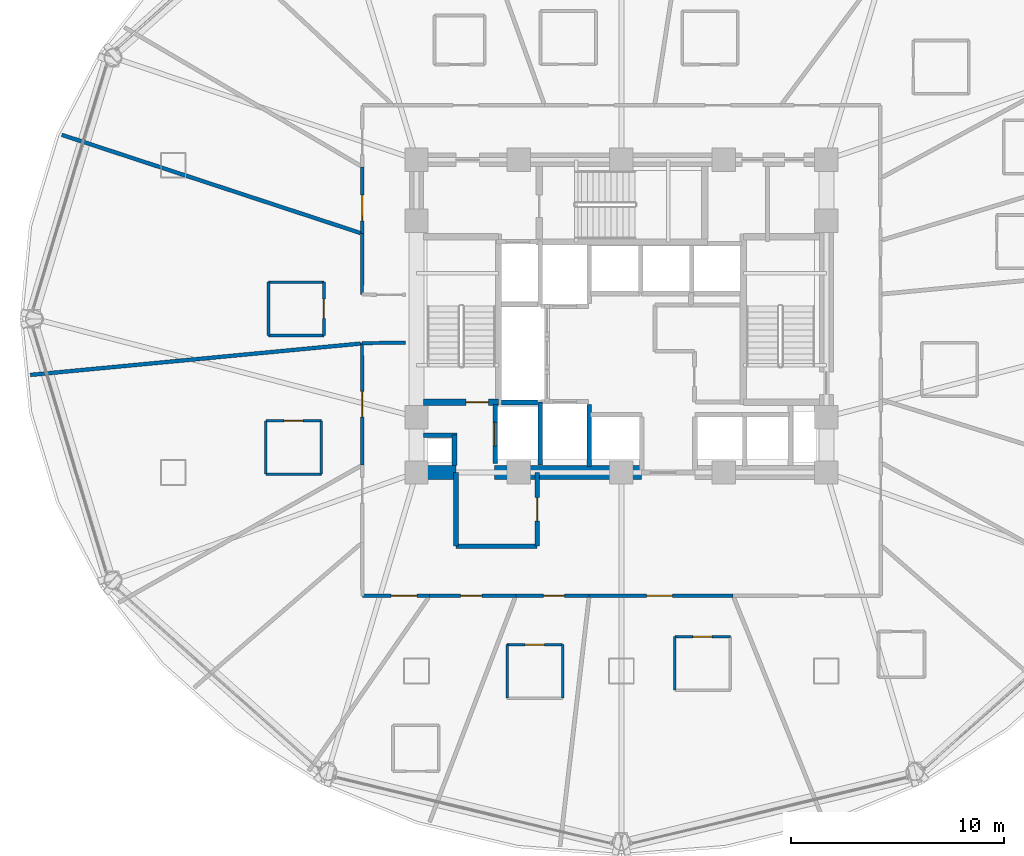
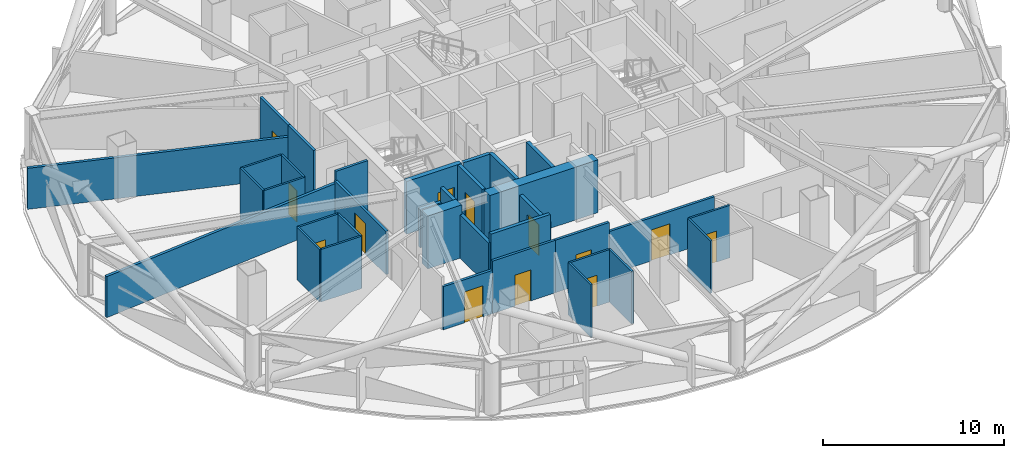
# One storey, part 22 of 30: 35 walls, 13 doors, 13 openings.
"""IFC4 building model written with IfcOpenShell, lengths in metres."""

import ifcopenshell
import ifcopenshell.guid

model = None  # the IFC model being written
_history = None  # IfcOwnerHistory: only IFC2X3 demands one
_inside = {}  # id of a spatial element -> (the spatial element, [elements in it])
_under = {}  # id of a project, library or spatial element -> (it, [spatial elements below it])
_declared = {}  # id of a project -> (the project, [libraries it declares])
_typed = {}  # id of a type object -> (the type object, [elements of that type])
_made_of = {}  # id of a material, layer set ... -> (it, [elements and type objects made of it])


def new_model(schema):
    """Start an empty IFC model of exactly this schema.

    Asked for "IFC4X3", IfcOpenShell would pick the latest addendum, in which some entities
    have other attributes; the version numbers below select the first issue.
    IFC2X3 requires an IfcOwnerHistory on every rooted entity: one is made here for all.
    """
    global model, _history
    if schema == "IFC4X3":
        model = ifcopenshell.file(schema_version=(4, 3, 0, 0))
    else:
        model = ifcopenshell.file(schema=schema)
    _inside.clear()
    _under.clear()
    _declared.clear()
    _typed.clear()
    _made_of.clear()
    _history = None
    if model.schema == "IFC2X3":
        org = make("IfcOrganization", Name="unknown")
        user = make(
            "IfcPersonAndOrganization",
            ThePerson=make("IfcPerson", FamilyName="unknown"),
            TheOrganization=org,
        )
        app = make(
            "IfcApplication",
            ApplicationDeveloper=org,
            Version="unknown",
            ApplicationFullName="unknown",
            ApplicationIdentifier="unknown",
        )
        _history = make(
            "IfcOwnerHistory",
            OwningUser=user,
            OwningApplication=app,
            ChangeAction="ADDED",
            CreationDate=0,
        )
    return model


def make(cls, **values):
    """One entity of the class cls with the attributes given. An attribute that is None is left unset."""
    return model.create_entity(
        cls, **{name: value for name, value in values.items() if value is not None}
    )


def rooted(cls, **values):
    """An entity with a GlobalId (a new one), such as an element, a storey or a relation."""
    return make(cls, GlobalId=ifcopenshell.guid.new(), OwnerHistory=_history, **values)


def si_unit(unit_type, name, prefix=None):
    """IfcSIUnit, for example si_unit("LENGTHUNIT", "METRE", prefix="MILLI")."""
    return make("IfcSIUnit", UnitType=unit_type, Prefix=prefix, Name=name)


def assignment(units):
    """IfcUnitAssignment: the units of a project."""
    return None if units is None else make("IfcUnitAssignment", Units=units)


def point(xyz):
    """IfcCartesianPoint."""
    return None if xyz is None else make("IfcCartesianPoint", Coordinates=xyz)


def direction(xyz):
    """IfcDirection."""
    return None if xyz is None else make("IfcDirection", DirectionRatios=xyz)


def frame(location, z_axis=None, x_axis=None):
    """IfcAxis2Placement3D, a coordinate frame: its origin and axes. An axis left out is left unset."""
    return make(
        "IfcAxis2Placement3D",
        Location=point(location),
        Axis=direction(z_axis),
        RefDirection=direction(x_axis),
    )


def frame_2d(location, x_axis=None):
    """IfcAxis2Placement2D, a coordinate frame in the plane: its origin and x axis."""
    return make(
        "IfcAxis2Placement2D", Location=point(location), RefDirection=direction(x_axis)
    )


def origin():
    """The frame at (0, 0, 0) with its axes left unset."""
    return frame((0.0, 0.0, 0.0))


def place(relative_to, where):
    """IfcLocalPlacement: puts the frame where relative to a parent placement (None: the world)."""
    return make(
        "IfcLocalPlacement", PlacementRelTo=relative_to, RelativePlacement=where
    )


def context(
    kind, dimensions, precision=None, world=None, true_north=None, identifier=None
):
    """IfcGeometricRepresentationContext, for example the 3D "Model" context."""
    return make(
        "IfcGeometricRepresentationContext",
        ContextIdentifier=identifier,
        ContextType=kind,
        CoordinateSpaceDimension=dimensions,
        Precision=precision,
        WorldCoordinateSystem=world,
        TrueNorth=true_north,
    )


def subcontext(parent, identifier, kind, view, scale=None):
    """IfcGeometricRepresentationSubContext, for example "Body" below "Model"."""
    return make(
        "IfcGeometricRepresentationSubContext",
        ContextIdentifier=identifier,
        ContextType=kind,
        ParentContext=parent,
        TargetScale=scale,
        TargetView=view,
    )


def project(units=None, contexts=None):
    """IfcProject with its units and contexts."""
    return rooted(
        "IfcProject",
        Name="project",
        RepresentationContexts=contexts,
        UnitsInContext=assignment(units),
    )


def spatial(cls, under=None, at=None, **own):
    """A site, building, storey or space (cls), placed at a placement, below another one or the project."""
    s = rooted(cls, ObjectPlacement=at, **own)
    if under is not None:
        _under.setdefault(under.id(), (under, []))[1].append(s)
    return s


def profile(cls, at=None, kind="AREA", **sizes):
    """A parametric profile (cls). Its sizes go by their IFC names, for example OverallWidth=200.0."""
    return make(cls, ProfileType=kind, Position=at, **sizes)


def rectangle(**sizes):
    """IfcRectangleProfileDef."""
    return profile("IfcRectangleProfileDef", **sizes)


def extrude(swept, where, along, depth):
    """IfcExtrudedAreaSolid: the profile swept, set in the frame where, extruded along a direction by depth."""
    return make(
        "IfcExtrudedAreaSolid",
        SweptArea=swept,
        Position=where,
        ExtrudedDirection=direction(along),
        Depth=depth,
    )


def shape(context_of_items, identifier, shape_type, items):
    """IfcShapeRepresentation: the items that make up one representation, for example the "Body"."""
    return make(
        "IfcShapeRepresentation",
        ContextOfItems=context_of_items,
        RepresentationIdentifier=identifier,
        RepresentationType=shape_type,
        Items=items,
    )


def material(Name=None, Category=None):
    """IfcMaterial."""
    return make("IfcMaterial", Name=Name, Category=Category)


def layer(
    of_material, thickness, ventilated=None, Name=None, Category=None, Priority=None
):
    """IfcMaterialLayer: one layer of a wall or slab, of a material (None: an air gap)."""
    return make(
        "IfcMaterialLayer",
        Material=of_material,
        LayerThickness=thickness,
        IsVentilated=ventilated,
        Name=Name,
        Category=Category,
        Priority=Priority,
    )


def layer_set(layers, Name=None):
    """IfcMaterialLayerSet."""
    return make("IfcMaterialLayerSet", MaterialLayers=layers, LayerSetName=Name)


def made_of(thing, what):
    """Note that an element or type object is made of a material, layer set ...; save() writes the relation."""
    if what is not None:
        _made_of.setdefault(what.id(), (what, []))[1].append(thing)
    return thing


def type_object(cls, material=None, **own):
    """A type object (cls), such as IfcWallType, which elements share."""
    return made_of(rooted(cls, **own), material)


def element(
    cls,
    number,
    at=None,
    inside=None,
    cuts=None,
    type_object=None,
    material=None,
    context=None,
    identifier="Body",
    shape_type=None,
    held_by="IfcProductDefinitionShape",
    body=None,
    shapes=None,
    **own,
):
    """One element of the class cls, such as IfcWall. Its Tag is "e" and its number.

    at: its placement. inside: the storey or other place that contains it. cuts: it is an
    opening in that element (IfcRelVoidsElement). A single representation is given by context,
    identifier, shape_type and body (its items); several are given by shapes. held_by: the class
    of the entity that holds the representations. save() writes the other relations.
    """
    e = rooted(cls, Tag="e%d" % number, ObjectPlacement=at, **own)
    if body is not None:
        shapes = [shape(context, identifier, shape_type, body)]
    if shapes is not None:
        e.Representation = make(held_by, Representations=shapes)
    if inside is not None:
        _inside.setdefault(inside.id(), (inside, []))[1].append(e)
    if cuts is not None:
        rooted(
            "IfcRelVoidsElement", RelatingBuildingElement=cuts, RelatedOpeningElement=e
        )
    if type_object is not None:
        _typed.setdefault(type_object.id(), (type_object, []))[1].append(e)
    return made_of(e, material)


def fill(opening, filler):
    """IfcRelFillsElement: the door or window that sits in an opening."""
    return rooted(
        "IfcRelFillsElement",
        RelatingOpeningElement=opening,
        RelatedBuildingElement=filler,
    )


def aggregate(whole, parts):
    """IfcRelAggregates: a whole, such as a stair, and the parts it consists of."""
    return rooted("IfcRelAggregates", RelatingObject=whole, RelatedObjects=parts)


def save(model, path):
    """Write the relations noted so far, then the file.

    IfcRelAggregates (storeys below a building ...), IfcRelContainedInSpatialStructure (elements
    in a storey), IfcRelDefinesByType, IfcRelAssociatesMaterial and IfcRelDeclares: one each for
    every whole, place, type object, material and project.
    """
    for whole, parts in _under.values():
        aggregate(whole, parts)
    for where, things in _inside.values():
        rooted(
            "IfcRelContainedInSpatialStructure",
            RelatedElements=things,
            RelatingStructure=where,
        )
    for kind, things in _typed.values():
        rooted("IfcRelDefinesByType", RelatedObjects=things, RelatingType=kind)
    for what, things in _made_of.values():
        rooted("IfcRelAssociatesMaterial", RelatedObjects=things, RelatingMaterial=what)
    for by, libraries in _declared.values():
        rooted("IfcRelDeclares", RelatingContext=by, RelatedDefinitions=libraries)
    model.write(path)


model = new_model("IFC4")

# Units and contexts
model_context = context("Model", 3, precision=1e-05, world=origin(), true_north=direction((0.0, 1.0)))
body_context = subcontext(model_context, "Body", "Model", "MODEL_VIEW")
ifc_project = project(units=[si_unit("LENGTHUNIT", "METRE"), si_unit("AREAUNIT", "SQUARE_METRE"), si_unit("VOLUMEUNIT", "CUBIC_METRE"), si_unit("PLANEANGLEUNIT", "RADIAN"), si_unit("MASSUNIT", "GRAM", prefix="KILO")], contexts=[model_context])

# Site, building, storey
site_placement = place(None, origin())
site = spatial("IfcSite", under=ifc_project, at=site_placement, CompositionType="ELEMENT")
building_placement = place(site_placement, origin())
building = spatial("IfcBuilding", under=site, at=building_placement, Name="Vantalir Tower", CompositionType="ELEMENT")
storey_placement = place(building_placement, frame((0.0, 0.0, 79.5)))
storey = spatial("IfcBuildingStorey", under=building, at=storey_placement, Name="L19", CompositionType="ELEMENT", Elevation=79.5)

# Walls
ifc_material_1 = material(Name="Moisture-resistant en-suite partition", Category="gypsum")
ifc_layer_1 = layer(ifc_material_1, 0.125)
ifc_layer_set_1 = layer_set([ifc_layer_1], Name="Moisture-resistant en-suite partition")
wall_type_1 = type_object("IfcWallType", Name="WL-BATH-125", PredefinedType="PARTITIONING", material=ifc_layer_set_1)
for number, where, z_axis, x_axis, name in (
    (1, (14.964111328125, 24.218994140625, 0.0), (0.0, 0.0, 1.0), (1.0, 0.0, 0.0), "L19 En-suite 09 South Wall"),
    (2, (14.964111328125, 26.718994140625, 0.0), (0.0, 0.0, 1.0), (1.0, 0.0, 0.0), "L19 En-suite 09 North Wall"),
):
    element("IfcWall", number, at=place(storey_placement, frame(where, z_axis=z_axis, x_axis=x_axis)), inside=storey, type_object=wall_type_1, Name=name, PredefinedType="PARTITIONING", context=body_context, shape_type="SweptSolid", body=[
        extrude(rectangle(XDim=2.599853515625, YDim=0.125, at=frame_2d((1.2998046875, 0.0))), origin(), (0.0, 0.0, 1.0), 3.550048828125),
    ])
wall_1_placement = place(storey_placement, frame((14.964111328125, 24.218994140625, 0.0), z_axis=(0.0, 0.0, 1.0), x_axis=(0.0, 1.0, 0.0)))
element("IfcWall", 3, at=wall_1_placement, inside=storey, type_object=wall_type_1, Name="L19 En-suite 09 West Wall", PredefinedType="PARTITIONING", context=body_context, shape_type="SweptSolid", body=[
    extrude(rectangle(XDim=2.5, YDim=0.125, at=frame_2d((1.25, 0.0))), origin(), (0.0, 0.0, 1.0), 3.550048828125),
])

# Wall, opening, door
wall_2_placement = place(storey_placement, frame((17.56396484375, 24.218994140625, 0.0), z_axis=(0.0, 0.0, 1.0), x_axis=(0.0, 1.0, 0.0)))
wall_2 = element("IfcWall", 4, at=wall_2_placement, inside=storey, type_object=wall_type_1, Name="L19 En-suite 09 East Wall", PredefinedType="PARTITIONING", context=body_context, shape_type="SweptSolid", body=[
    extrude(rectangle(XDim=2.5, YDim=0.125, at=frame_2d((1.25, 0.0))), origin(), (0.0, 0.0, 1.0), 3.550048828125),
])
opening_1_placement = place(wall_2_placement, frame((0.800048828125, 0.0, 0.0)))
opening_1 = element("IfcOpeningElement", 5, at=opening_1_placement, cuts=wall_2, Name="Opening D-WC", PredefinedType="OPENING", context=body_context, shape_type="SweptSolid", body=[
    extrude(rectangle(XDim=0.89990234375, YDim=2.10009765625, at=frame_2d((0.449951171875, 1.050048828125))), frame((0.0, 0.072509765625, 0.0), z_axis=(0.0, -1.0, 0.0), x_axis=(1.0, 0.0, 0.0)), (0.0, 0.0, 1.0), 0.14501953125),
])
ifc_material_2 = material(Name="Moisture-resistant hardwood door", Category="wood")
door_type_1 = type_object("IfcDoorType", Name="DR-ENSUITE-900", OperationType="NOTDEFINED", PredefinedType="DOOR", material=ifc_material_2)
door_1_placement = place(opening_1_placement, origin())
door_1 = element("IfcDoor", 6, at=door_1_placement, inside=storey, type_object=door_type_1, Name="L19 En-suite 09 Door", OperationType="SINGLE_SWING_LEFT", OverallHeight=2.10009765625, OverallWidth=0.89990234375, PredefinedType="DOOR", context=body_context, shape_type="SweptSolid", body=[
    extrude(rectangle(XDim=0.89990234375, YDim=2.10009765625, at=frame_2d((0.449951171875, 1.050048828125))), frame((0.0, 0.02490234375, 0.0), z_axis=(0.0, -1.0, 0.0), x_axis=(1.0, 0.0, 0.0)), (0.0, 0.0, 1.0), 0.050048828125),
])
fill(opening_1, door_1)

# Wall
wall_3_placement = place(storey_placement, frame((14.837890625, 17.718994140625, 0.0), z_axis=(0.0, 0.0, 1.0), x_axis=(1.0, 0.0, 0.0)))
element("IfcWall", 7, at=wall_3_placement, inside=storey, type_object=wall_type_1, Name="L19 En-suite 10 South Wall", PredefinedType="PARTITIONING", context=body_context, shape_type="SweptSolid", body=[
    extrude(rectangle(XDim=2.60009765625, YDim=0.125, at=frame_2d((1.300048828125, 0.0))), origin(), (0.0, 0.0, 1.0), 3.550048828125),
])

# Wall, opening, door
wall_4_placement = place(storey_placement, frame((14.837890625, 20.218994140625, 0.0), z_axis=(0.0, 0.0, 1.0), x_axis=(1.0, 0.0, 0.0)))
wall_4 = element("IfcWall", 8, at=wall_4_placement, inside=storey, type_object=wall_type_1, Name="L19 En-suite 10 North Wall", PredefinedType="PARTITIONING", context=body_context, shape_type="SweptSolid", body=[
    extrude(rectangle(XDim=2.60009765625, YDim=0.125, at=frame_2d((1.300048828125, 0.0))), origin(), (0.0, 0.0, 1.0), 3.550048828125),
])
opening_2_placement = place(wall_4_placement, frame((0.85009765625, 0.0, 0.0)))
opening_2 = element("IfcOpeningElement", 9, at=opening_2_placement, cuts=wall_4, Name="Opening D-WC", PredefinedType="OPENING", context=body_context, shape_type="SweptSolid", body=[
    extrude(rectangle(XDim=0.89990234375, YDim=2.10009765625, at=frame_2d((0.449951171875, 1.050048828125))), frame((0.0, 0.072509765625, 0.0), z_axis=(0.0, -1.0, 0.0), x_axis=(1.0, 0.0, 0.0)), (0.0, 0.0, 1.0), 0.14501953125),
])
door_2_placement = place(opening_2_placement, frame((0.89990234375, 0.0, 0.0), z_axis=(0.0, 0.0, 1.0), x_axis=(-1.0, 0.0, 0.0)))
door_2 = element("IfcDoor", 10, at=door_2_placement, inside=storey, type_object=door_type_1, Name="L19 En-suite 10 Door", OperationType="SINGLE_SWING_RIGHT", OverallHeight=2.10009765625, OverallWidth=0.89990234375, PredefinedType="DOOR", context=body_context, shape_type="SweptSolid", body=[
    extrude(rectangle(XDim=0.89990234375, YDim=2.10009765625, at=frame_2d((0.449951171875, 1.050048828125))), frame((0.0, 0.02490234375, 0.0), z_axis=(0.0, -1.0, 0.0), x_axis=(1.0, 0.0, 0.0)), (0.0, 0.0, 1.0), 0.050048828125),
])
fill(opening_2, door_2)

# Walls
for number, where, z_axis, x_axis, name in (
    (11, (14.837890625, 17.718994140625, 0.0), (0.0, 0.0, 1.0), (0.0, 1.0, 0.0), "L19 En-suite 10 West Wall"),
    (12, (17.43798828125, 17.718994140625, 0.0), (0.0, 0.0, 1.0), (0.0, 1.0, 0.0), "L19 En-suite 10 East Wall"),
):
    element("IfcWall", number, at=place(storey_placement, frame(where, z_axis=z_axis, x_axis=x_axis)), inside=storey, type_object=wall_type_1, Name=name, PredefinedType="PARTITIONING", context=body_context, shape_type="SweptSolid", body=[
        extrude(rectangle(XDim=2.5, YDim=0.125, at=frame_2d((1.25, 0.0))), origin(), (0.0, 0.0, 1.0), 3.550048828125),
    ])

# Wall, opening, door
wall_5_placement = place(storey_placement, frame((26.14404296875, 9.73095703125, 0.0), z_axis=(0.0, 0.0, 1.0), x_axis=(1.0, 0.0, 0.0)))
wall_5 = element("IfcWall", 13, at=wall_5_placement, inside=storey, type_object=wall_type_1, Name="L19 En-suite 14 North Wall", PredefinedType="PARTITIONING", context=body_context, shape_type="SweptSolid", body=[
    extrude(rectangle(XDim=2.599853515625, YDim=0.125, at=frame_2d((1.2998046875, 0.0))), origin(), (0.0, 0.0, 1.0), 3.550048828125),
])
opening_3_placement = place(wall_5_placement, frame((0.85009765625, 0.0, 0.0)))
opening_3 = element("IfcOpeningElement", 14, at=opening_3_placement, cuts=wall_5, Name="Opening D-WC", PredefinedType="OPENING", context=body_context, shape_type="SweptSolid", body=[
    extrude(rectangle(XDim=0.89990234375, YDim=2.10009765625, at=frame_2d((0.449951171875, 1.050048828125))), frame((0.0, 0.072509765625, 0.0), z_axis=(0.0, -1.0, 0.0), x_axis=(1.0, 0.0, 0.0)), (0.0, 0.0, 1.0), 0.14501953125),
])
door_3_placement = place(opening_3_placement, frame((0.89990234375, 0.0, 0.0), z_axis=(0.0, 0.0, 1.0), x_axis=(-1.0, 0.0, 0.0)))
door_3 = element("IfcDoor", 15, at=door_3_placement, inside=storey, type_object=door_type_1, Name="L19 En-suite 14 Door", OperationType="SINGLE_SWING_RIGHT", OverallHeight=2.10009765625, OverallWidth=0.89990234375, PredefinedType="DOOR", context=body_context, shape_type="SweptSolid", body=[
    extrude(rectangle(XDim=0.89990234375, YDim=2.10009765625, at=frame_2d((0.449951171875, 1.050048828125))), frame((0.0, 0.02490234375, 0.0), z_axis=(0.0, -1.0, 0.0), x_axis=(1.0, 0.0, 0.0)), (0.0, 0.0, 1.0), 0.050048828125),
])
fill(opening_3, door_3)

# Walls
for number, where, z_axis, x_axis, name in (
    (16, (26.14404296875, 7.23095703125, 0.0), (0.0, 0.0, 1.0), (0.0, 1.0, 0.0), "L19 En-suite 14 West Wall"),
    (17, (28.743896484375, 7.23095703125, 0.0), (0.0, 0.0, 1.0), (0.0, 1.0, 0.0), "L19 En-suite 14 East Wall"),
):
    element("IfcWall", number, at=place(storey_placement, frame(where, z_axis=z_axis, x_axis=x_axis)), inside=storey, type_object=wall_type_1, Name=name, PredefinedType="PARTITIONING", context=body_context, shape_type="SweptSolid", body=[
        extrude(rectangle(XDim=2.5, YDim=0.125, at=frame_2d((1.25, 0.0))), origin(), (0.0, 0.0, 1.0), 3.550048828125),
    ])

# Wall, opening, door
wall_6_placement = place(storey_placement, frame((34.0029296875, 10.10595703125, 0.0), z_axis=(0.0, 0.0, 1.0), x_axis=(1.0, 0.0, 0.0)))
wall_6 = element("IfcWall", 18, at=wall_6_placement, inside=storey, type_object=wall_type_1, Name="L19 En-suite 15 North Wall", PredefinedType="PARTITIONING", context=body_context, shape_type="SweptSolid", body=[
    extrude(rectangle(XDim=2.60009765625, YDim=0.125, at=frame_2d((1.300048828125, 0.0))), origin(), (0.0, 0.0, 1.0), 3.550048828125),
])
opening_4_placement = place(wall_6_placement, frame((0.85009765625, 0.0, 0.0)))
opening_4 = element("IfcOpeningElement", 19, at=opening_4_placement, cuts=wall_6, Name="Opening D-WC", PredefinedType="OPENING", context=body_context, shape_type="SweptSolid", body=[
    extrude(rectangle(XDim=0.89990234375, YDim=2.10009765625, at=frame_2d((0.449951171875, 1.050048828125))), frame((0.0, 0.072509765625, 0.0), z_axis=(0.0, -1.0, 0.0), x_axis=(1.0, 0.0, 0.0)), (0.0, 0.0, 1.0), 0.14501953125),
])
door_4_placement = place(opening_4_placement, frame((0.89990234375, 0.0, 0.0), z_axis=(0.0, 0.0, 1.0), x_axis=(-1.0, 0.0, 0.0)))
door_4 = element("IfcDoor", 20, at=door_4_placement, inside=storey, type_object=door_type_1, Name="L19 En-suite 15 Door", OperationType="SINGLE_SWING_LEFT", OverallHeight=2.10009765625, OverallWidth=0.89990234375, PredefinedType="DOOR", context=body_context, shape_type="SweptSolid", body=[
    extrude(rectangle(XDim=0.89990234375, YDim=2.10009765625, at=frame_2d((0.449951171875, 1.050048828125))), frame((0.0, 0.02490234375, 0.0), z_axis=(0.0, -1.0, 0.0), x_axis=(1.0, 0.0, 0.0)), (0.0, 0.0, 1.0), 0.050048828125),
])
fill(opening_4, door_4)

# Walls
wall_7_placement = place(storey_placement, frame((34.0029296875, 7.60595703125, 0.0), z_axis=(0.0, 0.0, 1.0), x_axis=(0.0, 1.0, 0.0)))
element("IfcWall", 21, at=wall_7_placement, inside=storey, type_object=wall_type_1, Name="L19 En-suite 15 West Wall", PredefinedType="PARTITIONING", context=body_context, shape_type="SweptSolid", body=[
    extrude(rectangle(XDim=2.5, YDim=0.125, at=frame_2d((1.25, 0.0))), origin(), (0.0, 0.0, 1.0), 3.550048828125),
])
ifc_material_3 = material(Name="Concrete C60/75", Category="concrete")
ifc_layer_2 = layer(ifc_material_3, 0.64990234375)
ifc_layer_set_2 = layer_set([ifc_layer_2], Name="Concrete C60/75")
wall_type_2 = type_object("IfcWallType", Name="WL-CORE-650", PredefinedType="SHEAR", material=ifc_layer_set_2)
wall_8_placement = place(storey_placement, frame((21.574951171875, 17.800048828125, 0.0), z_axis=(0.0, 0.0, 1.0), x_axis=(1.0, 0.0, 0.0)))
element("IfcWall", 22, at=wall_8_placement, inside=storey, type_object=wall_type_2, Name="L19 Core Shear Wall South-West", PredefinedType="SHEAR", context=body_context, shape_type="SweptSolid", body=[
    extrude(rectangle(XDim=2.175048828125, YDim=0.64990234375, at=frame_2d((1.08740234375, 0.0))), origin(), (0.0, 0.0, 1.0), 3.570068359375),
])
wall_9_placement = place(storey_placement, frame((25.550048828125, 17.800048828125, 0.0), z_axis=(0.0, 0.0, 1.0), x_axis=(1.0, 0.0, 0.0)))
element("IfcWall", 23, at=wall_9_placement, inside=storey, type_object=wall_type_2, Name="L19 Core Shear Wall South-Mid", PredefinedType="SHEAR", context=body_context, shape_type="SweptSolid", body=[
    extrude(rectangle(XDim=6.89990234375, YDim=0.64990234375, at=frame_2d((3.449951171875, 0.0))), origin(), (0.0, 0.0, 1.0), 3.570068359375),
])
ifc_material_4 = material(Name="Fire-rated hotel corridor acoustic partition", Category="gypsum")
ifc_layer_3 = layer(ifc_material_4, 0.159912109375)
ifc_layer_set_3 = layer_set([ifc_layer_3], Name="Fire-rated hotel corridor acoustic partition")
wall_type_3 = type_object("IfcWallType", Name="WL-CORR-160", PredefinedType="PARTITIONING", material=ifc_layer_set_3)
wall_10_placement = place(storey_placement, frame((19.347900390625, 26.14208984375, 0.0), z_axis=(0.0, 0.0, 1.0), x_axis=(0.002483506942, 0.999996916092, 0.0)))
element("IfcWall", 24, at=wall_10_placement, inside=storey, type_object=wall_type_3, Name="L19 Corridor Partition 02", PredefinedType="PARTITIONING", context=body_context, shape_type="SweptSolid", body=[
    extrude(rectangle(XDim=2.850830078125, YDim=0.159912109375, at=frame_2d((1.42529296875, 0.0))), origin(), (0.0, 0.0, 1.0), 3.550048828125),
])

# Wall, opening, door
wall_11_placement = place(storey_placement, frame((19.35498046875, 28.992919921875, 0.0), z_axis=(0.0, 0.0, 1.0), x_axis=(0.002264911404, 0.999997435085, 0.0)))
wall_11 = element("IfcWall", 25, at=wall_11_placement, inside=storey, type_object=wall_type_3, Name="L19 Corridor Partition 03", PredefinedType="PARTITIONING", context=body_context, shape_type="SweptSolid", body=[
    extrude(rectangle(XDim=3.1259765625, YDim=0.159912109375, at=frame_2d((1.56298828125, 0.0))), origin(), (0.0, 0.0, 1.0), 3.550048828125),
])
opening_5_placement = place(wall_11_placement, frame((0.597900390625, 0.0, 0.0)))
opening_5 = element("IfcOpeningElement", 26, at=opening_5_placement, cuts=wall_11, Name="Opening D-STE", PredefinedType="OPENING", context=body_context, shape_type="SweptSolid", body=[
    extrude(rectangle(XDim=1.199951171875, YDim=2.10009765625, at=frame_2d((0.60009765625, 1.050048828125))), frame((0.0, 0.08984375, 0.0), z_axis=(0.0, -1.0, 0.0), x_axis=(1.0, 0.0, 0.0)), (0.0, 0.0, 1.0), 0.179931640625),
])
ifc_material_5 = material(Name="Solid-core teak veneer suite entrance door", Category="wood")
door_type_2 = type_object("IfcDoorType", Name="DR-SUITE-ENTRY-1200", OperationType="NOTDEFINED", PredefinedType="DOOR", material=ifc_material_5)
door_5_placement = place(opening_5_placement, origin())
door_5 = element("IfcDoor", 27, at=door_5_placement, inside=storey, type_object=door_type_2, Name="L19 Executive Sky Boardroom 08 Door", OperationType="SINGLE_SWING_RIGHT", OverallHeight=2.10009765625, OverallWidth=1.199951171875, PredefinedType="DOOR", context=body_context, shape_type="SweptSolid", body=[
    extrude(rectangle(XDim=1.199951171875, YDim=2.10009765625, at=frame_2d((0.60009765625, 1.050048828125))), frame((0.0, 0.02490234375, 0.0), z_axis=(0.0, -1.0, 0.0), x_axis=(1.0, 0.0, 0.0)), (0.0, 0.0, 1.0), 0.050048828125),
])
fill(opening_5, door_5)

wall_12_placement = place(storey_placement, frame((36.72705078125, 12.029052734375, 0.0), z_axis=(0.0, 0.0, 1.0), x_axis=(-0.999999710434, -0.000761007209, 0.0)))
wall_12 = element("IfcWall", 28, at=wall_12_placement, inside=storey, type_object=wall_type_3, Name="L19 Corridor Partition 18", PredefinedType="PARTITIONING", context=body_context, shape_type="SweptSolid", body=[
    extrude(rectangle(XDim=6.737060546875, YDim=0.159912109375, at=frame_2d((3.36865234375, 0.0))), origin(), (0.0, 0.0, 1.0), 2.927978515625),
])
opening_6_placement = place(wall_12_placement, frame((2.843017578125, 0.0, 0.0)))
opening_6 = element("IfcOpeningElement", 29, at=opening_6_placement, cuts=wall_12, Name="Opening D-STE", PredefinedType="OPENING", context=body_context, shape_type="SweptSolid", body=[
    extrude(rectangle(XDim=1.199951171875, YDim=2.10009765625, at=frame_2d((0.60009765625, 1.050048828125))), frame((0.0, 0.08984375, 0.0), z_axis=(0.0, -1.0, 0.0), x_axis=(1.0, 0.0, 0.0)), (0.0, 0.0, 1.0), 0.179931640625),
])
door_6_placement = place(opening_6_placement, origin())
door_6 = element("IfcDoor", 30, at=door_6_placement, inside=storey, type_object=door_type_2, Name="L19 Corner Panorama Hotel Suite 15 Door", OperationType="SINGLE_SWING_LEFT", OverallHeight=2.10009765625, OverallWidth=1.199951171875, PredefinedType="DOOR", context=body_context, shape_type="SweptSolid", body=[
    extrude(rectangle(XDim=1.199951171875, YDim=2.10009765625, at=frame_2d((0.60009765625, 1.050048828125))), frame((0.0, 0.02490234375, 0.0), z_axis=(0.0, -1.0, 0.0), x_axis=(1.0, 0.0, 0.0)), (0.0, 0.0, 1.0), 0.050048828125),
])
fill(opening_6, door_6)

wall_13_placement = place(storey_placement, frame((29.989990234375, 12.02392578125, 0.0), z_axis=(0.0, 0.0, 1.0), x_axis=(-0.999999838631, -0.00056810103, 0.0)))
wall_13 = element("IfcWall", 31, at=wall_13_placement, inside=storey, type_object=wall_type_3, Name="L19 Corridor Partition 19", PredefinedType="PARTITIONING", context=body_context, shape_type="SweptSolid", body=[
    extrude(rectangle(XDim=3.43798828125, YDim=0.159912109375, at=frame_2d((1.718994140625, 0.0))), origin(), (0.0, 0.0, 1.0), 3.550048828125),
])
opening_7_placement = place(wall_13_placement, frame((1.14794921875, 0.0, 0.0)))
opening_7 = element("IfcOpeningElement", 32, at=opening_7_placement, cuts=wall_13, Name="Opening D-GUEST", PredefinedType="OPENING", context=body_context, shape_type="SweptSolid", body=[
    extrude(rectangle(XDim=1.0, YDim=2.10009765625, at=frame_2d((0.5, 1.050048828125))), frame((0.0, 0.08984375, 0.0), z_axis=(0.0, -1.0, 0.0), x_axis=(1.0, 0.0, 0.0)), (0.0, 0.0, 1.0), 0.179931640625),
])
ifc_material_6 = material(Name="Solid-core teak veneer acoustic fire door", Category="wood")
door_type_3 = type_object("IfcDoorType", Name="DR-GUEST-ENTRY-1000", OperationType="NOTDEFINED", PredefinedType="DOOR", material=ifc_material_6)
door_7_placement = place(opening_7_placement, origin())
door_7 = element("IfcDoor", 33, at=door_7_placement, inside=storey, type_object=door_type_3, Name="L19 Twin Queen Hotel Room 14 Door", OperationType="SINGLE_SWING_RIGHT", OverallHeight=2.10009765625, OverallWidth=1.0, PredefinedType="DOOR", context=body_context, shape_type="SweptSolid", body=[
    extrude(rectangle(XDim=1.0, YDim=2.10009765625, at=frame_2d((0.5, 1.050048828125))), frame((0.0, 0.02490234375, 0.0), z_axis=(0.0, -1.0, 0.0), x_axis=(1.0, 0.0, 0.0)), (0.0, 0.0, 1.0), 0.050048828125),
])
fill(opening_7, door_7)

wall_14_placement = place(storey_placement, frame((26.552001953125, 12.02197265625, 0.0), z_axis=(0.0, 0.0, 1.0), x_axis=(-0.999999736017, -0.000726611979, 0.0)))
wall_14 = element("IfcWall", 34, at=wall_14_placement, inside=storey, type_object=wall_type_3, Name="L19 Corridor Partition 20", PredefinedType="PARTITIONING", context=body_context, shape_type="SweptSolid", body=[
    extrude(rectangle(XDim=4.031982421875, YDim=0.159912109375, at=frame_2d((2.01611328125, 0.0))), origin(), (0.0, 0.0, 1.0), 3.550048828125),
])
opening_8_placement = place(wall_14_placement, frame((1.5869140625, 0.0, 0.0)))
opening_8 = element("IfcOpeningElement", 35, at=opening_8_placement, cuts=wall_14, Name="Opening D-GUEST", PredefinedType="OPENING", context=body_context, shape_type="SweptSolid", body=[
    extrude(rectangle(XDim=1.0, YDim=2.10009765625, at=frame_2d((0.5, 1.050048828125))), frame((0.0, 0.08984375, 0.0), z_axis=(0.0, -1.0, 0.0), x_axis=(1.0, 0.0, 0.0)), (0.0, 0.0, 1.0), 0.179931640625),
])
door_8_placement = place(opening_8_placement, origin())
door_8 = element("IfcDoor", 36, at=door_8_placement, inside=storey, type_object=door_type_3, Name="L19 Deluxe King Hotel Room 13 Door", OperationType="SINGLE_SWING_LEFT", OverallHeight=2.10009765625, OverallWidth=1.0, PredefinedType="DOOR", context=body_context, shape_type="SweptSolid", body=[
    extrude(rectangle(XDim=1.0, YDim=2.10009765625, at=frame_2d((0.5, 1.050048828125))), frame((0.0, 0.02490234375, 0.0), z_axis=(0.0, -1.0, 0.0), x_axis=(1.0, 0.0, 0.0)), (0.0, 0.0, 1.0), 0.050048828125),
])
fill(opening_8, door_8)

wall_15_placement = place(storey_placement, frame((22.52001953125, 12.01904296875, 0.0), z_axis=(0.0, 0.0, 1.0), x_axis=(-0.999999807912, -0.000619818584, 0.0)))
wall_15 = element("IfcWall", 37, at=wall_15_placement, inside=storey, type_object=wall_type_3, Name="L19 Corridor Partition 21", PredefinedType="PARTITIONING", context=body_context, shape_type="SweptSolid", body=[
    extrude(rectangle(XDim=3.151123046875, YDim=0.159912109375, at=frame_2d((1.57568359375, 0.0))), origin(), (0.0, 0.0, 1.0), 2.927978515625),
])
opening_9_placement = place(wall_15_placement, frame((0.60498046875, 0.0, 0.0)))
opening_9 = element("IfcOpeningElement", 38, at=opening_9_placement, cuts=wall_15, Name="Opening D-STE", PredefinedType="OPENING", context=body_context, shape_type="SweptSolid", body=[
    extrude(rectangle(XDim=1.199951171875, YDim=2.10009765625, at=frame_2d((0.60009765625, 1.050048828125))), frame((0.0, 0.08984375, 0.0), z_axis=(0.0, -1.0, 0.0), x_axis=(1.0, 0.0, 0.0)), (0.0, 0.0, 1.0), 0.179931640625),
])
door_9_placement = place(opening_9_placement, origin())
door_9 = element("IfcDoor", 39, at=door_9_placement, inside=storey, type_object=door_type_2, Name="L19 Club Reading Lounge 12 Door", OperationType="SINGLE_SWING_RIGHT", OverallHeight=2.10009765625, OverallWidth=1.199951171875, PredefinedType="DOOR", context=body_context, shape_type="SweptSolid", body=[
    extrude(rectangle(XDim=1.199951171875, YDim=2.10009765625, at=frame_2d((0.60009765625, 1.050048828125))), frame((0.0, 0.02490234375, 0.0), z_axis=(0.0, -1.0, 0.0), x_axis=(1.0, 0.0, 0.0)), (0.0, 0.0, 1.0), 0.050048828125),
])
fill(opening_9, door_9)

wall_16_placement = place(storey_placement, frame((19.35791015625, 18.14697265625, 0.0), z_axis=(0.0, 0.0, 1.0), x_axis=(-0.001752733286, 0.999998463962, 0.0)))
wall_16 = element("IfcWall", 40, at=wall_16_placement, inside=storey, type_object=wall_type_3, Name="L19 Corridor Partition 24", PredefinedType="PARTITIONING", context=body_context, shape_type="SweptSolid", body=[
    extrude(rectangle(XDim=5.7109375, YDim=0.159912109375, at=frame_2d((2.85546875, 0.0))), origin(), (0.0, 0.0, 1.0), 2.927978515625),
])
opening_10_placement = place(wall_16_placement, frame((2.256103515625, 0.0, 0.0)))
opening_10 = element("IfcOpeningElement", 41, at=opening_10_placement, cuts=wall_16, Name="Opening D-STE", PredefinedType="OPENING", context=body_context, shape_type="SweptSolid", body=[
    extrude(rectangle(XDim=1.199951171875, YDim=2.10009765625, at=frame_2d((0.60009765625, 1.050048828125))), frame((0.0, 0.08984375, 0.0), z_axis=(0.0, -1.0, 0.0), x_axis=(1.0, 0.0, 0.0)), (0.0, 0.0, 1.0), 0.179931640625),
])
door_10_placement = place(opening_10_placement, origin())
door_10 = element("IfcDoor", 42, at=door_10_placement, inside=storey, type_object=door_type_2, Name="L19 Executive Club Hotel Suite 10 Door", OperationType="SINGLE_SWING_RIGHT", OverallHeight=2.10009765625, OverallWidth=1.199951171875, PredefinedType="DOOR", context=body_context, shape_type="SweptSolid", body=[
    extrude(rectangle(XDim=1.199951171875, YDim=2.10009765625, at=frame_2d((0.60009765625, 1.050048828125))), frame((0.0, 0.02490234375, 0.0), z_axis=(0.0, -1.0, 0.0), x_axis=(1.0, 0.0, 0.0)), (0.0, 0.0, 1.0), 0.050048828125),
])
fill(opening_10, door_10)

# Walls
wall_17_placement = place(storey_placement, frame((19.347900390625, 23.85791015625, 0.0), z_axis=(0.0, 0.0, 1.0), x_axis=(0.999899308643, 0.014190580528, 0.0)))
element("IfcWall", 43, at=wall_17_placement, inside=storey, type_object=wall_type_3, Name="L19 Corridor Partition 25", PredefinedType="PARTITIONING", context=body_context, shape_type="SweptSolid", body=[
    extrude(rectangle(XDim=2.04736328125, YDim=0.159912109375, at=frame_2d((1.023681640625, 0.0))), origin(), (0.0, 0.0, 1.0), 3.550048828125),
])
ifc_material_7 = material(Name="Concrete blockwork with fireboard lining", Category="masonry")
ifc_layer_4 = layer(ifc_material_7, 0.219970703125)
ifc_layer_set_4 = layer_set([ifc_layer_4], Name="Concrete blockwork with fireboard lining")
wall_type_4 = type_object("IfcWallType", Name="WL-FFL-220", PredefinedType="PARTITIONING", material=ifc_layer_set_4)
wall_18_placement = place(storey_placement, frame((30.0, 18.080078125, 0.0), z_axis=(0.0, 0.0, 1.0), x_axis=(0.0, 1.0, 0.0)))
element("IfcWall", 44, at=wall_18_placement, inside=storey, type_object=wall_type_4, Name="L19 Service Lift SV1 East Shaft Wall", PredefinedType="PARTITIONING", context=body_context, shape_type="SweptSolid", body=[
    extrude(rectangle(XDim=2.89990234375, YDim=0.219970703125, at=frame_2d((1.449951171875, 0.0))), origin(), (0.0, 0.0, 1.0), 3.544921875),
])
wall_19_placement = place(storey_placement, frame((23.679931640625, 18.125, 0.0), z_axis=(0.0, 0.0, 1.0), x_axis=(0.0, 1.0, 0.0)))
element("IfcWall", 45, at=wall_19_placement, inside=storey, type_object=wall_type_4, Name="L19 West MEP Riser Wall E", PredefinedType="PARTITIONING", context=body_context, shape_type="SweptSolid", body=[
    extrude(rectangle(XDim=1.425048828125, YDim=0.219970703125, at=frame_2d((0.71240234375, 0.0))), origin(), (0.0, 0.0, 1.0), 3.550048828125),
])
wall_20_placement = place(storey_placement, frame((22.22509765625, 19.550048828125, 0.0), z_axis=(0.0, 0.0, 1.0), x_axis=(1.0, 0.0, 0.0)))
element("IfcWall", 46, at=wall_20_placement, inside=storey, type_object=wall_type_4, Name="L19 West MEP Riser Wall N", PredefinedType="PARTITIONING", context=body_context, shape_type="SweptSolid", body=[
    extrude(rectangle(XDim=1.56494140625, YDim=0.219970703125, at=frame_2d((0.782470703125, 0.0))), origin(), (0.0, 0.0, 1.0), 2.594970703125),
])

# Wall, opening, door
wall_21_placement = place(storey_placement, frame((25.590087890625, 18.219970703125, 0.0), z_axis=(0.0, 0.0, 1.0), x_axis=(0.0, 1.0, 0.0)))
wall_21 = element("IfcWall", 47, at=wall_21_placement, inside=storey, type_object=wall_type_4, Name="L19 Lift FL1 Shaft Front Wall", PredefinedType="PARTITIONING", context=body_context, shape_type="SweptSolid", body=[
    extrude(rectangle(XDim=2.760009765625, YDim=0.219970703125, at=frame_2d((1.3798828125, 0.0))), origin(), (0.0, 0.0, 1.0), 3.550048828125),
])
opening_11_placement = place(wall_21_placement, frame((0.830078125, 0.0, 0.0)))
opening_11 = element("IfcOpeningElement", 48, at=opening_11_placement, cuts=wall_21, Name="Opening LD-FL1", PredefinedType="OPENING", context=body_context, shape_type="SweptSolid", body=[
    extrude(rectangle(XDim=1.10009765625, YDim=2.199951171875, at=frame_2d((0.550048828125, 1.10009765625))), frame((0.0, 0.119873046875, 0.0), z_axis=(0.0, -1.0, 0.0), x_axis=(1.0, 0.0, 0.0)), (0.0, 0.0, 1.0), 0.239990234375),
])
ifc_material_8 = material(Name="Brushed stainless-steel sliding lift landing door", Category="steel")
door_type_4 = type_object("IfcDoorType", Name="DR-LIFT-LANDING-1100", OperationType="DOUBLE_DOOR_SLIDING", PredefinedType="DOOR", material=ifc_material_8)
door_11_placement = place(opening_11_placement, origin())
door_11 = element("IfcDoor", 49, at=door_11_placement, inside=storey, type_object=door_type_4, Name="L19 Lift Landing Door FL1", OperationType="DOUBLE_DOOR_SLIDING", OverallHeight=2.199951171875, OverallWidth=1.10009765625, PredefinedType="DOOR", context=body_context, shape_type="SweptSolid", body=[
    extrude(rectangle(XDim=1.10009765625, YDim=2.199951171875, at=frame_2d((0.550048828125, 1.10009765625))), frame((0.0, 0.02490234375, 0.0), z_axis=(0.0, -1.0, 0.0), x_axis=(1.0, 0.0, 0.0)), (0.0, 0.0, 1.0), 0.050048828125),
])
fill(opening_11, door_11)

# Walls
wall_22_placement = place(storey_placement, frame((27.699951171875, 18.14990234375, 0.0), z_axis=(0.0, 0.0, 1.0), x_axis=(0.0, 1.0, 0.0)))
element("IfcWall", 50, at=wall_22_placement, inside=storey, type_object=wall_type_4, Name="L19 Fire Lift FL1 Dividing Wall", PredefinedType="PARTITIONING", context=body_context, shape_type="SweptSolid", body=[
    extrude(rectangle(XDim=2.9501953125, YDim=0.219970703125, at=frame_2d((1.47509765625, 0.0))), origin(), (0.0, 0.0, 1.0), 3.550048828125),
])
wall_23_placement = place(storey_placement, frame((25.8798828125, 21.080078125, 0.0), z_axis=(0.0, 0.0, 1.0), x_axis=(1.0, 0.0, 0.0)))
element("IfcWall", 51, at=wall_23_placement, inside=storey, type_object=wall_type_4, Name="L19 Low-Rise Bank South Wall", PredefinedType="PARTITIONING", context=body_context, shape_type="SweptSolid", body=[
    extrude(rectangle(XDim=1.7001953125, YDim=0.219970703125, at=frame_2d((0.85009765625, 0.0))), origin(), (0.0, 0.0, 1.0), 3.550048828125),
])
wall_24_placement = place(storey_placement, frame((23.75, 14.35009765625, 0.0), z_axis=(0.0, 0.0, 1.0), x_axis=(0.0, 1.0, 0.0)))
element("IfcWall", 52, at=wall_24_placement, inside=storey, type_object=wall_type_4, Name="L19 Firefighting Lobby West Outer W", PredefinedType="PARTITIONING", context=body_context, shape_type="SweptSolid", body=[
    extrude(rectangle(XDim=3.449951171875, YDim=0.219970703125, at=frame_2d((1.72509765625, 0.0))), origin(), (0.0, 0.0, 1.0), 2.927978515625),
])
wall_25_placement = place(storey_placement, frame((23.75, 14.35009765625, 0.0), z_axis=(0.0, 0.0, 1.0), x_axis=(1.0, 0.0, 0.0)))
element("IfcWall", 53, at=wall_25_placement, inside=storey, type_object=wall_type_4, Name="L19 Firefighting Lobby West South Wall", PredefinedType="PARTITIONING", context=body_context, shape_type="SweptSolid", body=[
    extrude(rectangle(XDim=3.800048828125, YDim=0.219970703125, at=frame_2d((1.89990234375, 0.0))), origin(), (0.0, 0.0, 1.0), 3.550048828125),
])

# Wall, opening, door
wall_26_placement = place(storey_placement, frame((27.550048828125, 14.35009765625, 0.0), z_axis=(0.0, 0.0, 1.0), x_axis=(0.0, 1.0, 0.0)))
wall_26 = element("IfcWall", 54, at=wall_26_placement, inside=storey, type_object=wall_type_4, Name="L19 Firefighting Lobby West East Wall", PredefinedType="PARTITIONING", context=body_context, shape_type="SweptSolid", body=[
    extrude(rectangle(XDim=3.449951171875, YDim=0.219970703125, at=frame_2d((1.72509765625, 0.0))), origin(), (0.0, 0.0, 1.0), 2.927978515625),
])
opening_12_placement = place(wall_26_placement, frame((1.175048828125, 0.0, 0.0)))
opening_12 = element("IfcOpeningElement", 55, at=opening_12_placement, cuts=wall_26, Name="Opening D-FFL", PredefinedType="OPENING", context=body_context, shape_type="SweptSolid", body=[
    extrude(rectangle(XDim=1.10009765625, YDim=2.10009765625, at=frame_2d((0.550048828125, 1.050048828125))), frame((0.0, 0.119873046875, 0.0), z_axis=(0.0, -1.0, 0.0), x_axis=(1.0, 0.0, 0.0)), (0.0, 0.0, 1.0), 0.239990234375),
])
ifc_material_9 = material(Name="Fire-rated acoustic steel door", Category="steel")
door_type_5 = type_object("IfcDoorType", Name="DR-FIRE-LOBBY-1100", OperationType="NOTDEFINED", PredefinedType="DOOR", material=ifc_material_9)
door_12_placement = place(opening_12_placement, origin())
door_12 = element("IfcDoor", 56, at=door_12_placement, inside=storey, type_object=door_type_5, Name="L19 Firefighting Lobby West Access Door", OperationType="SINGLE_SWING_RIGHT", OverallHeight=2.10009765625, OverallWidth=1.10009765625, PredefinedType="DOOR", context=body_context, shape_type="SweptSolid", body=[
    extrude(rectangle(XDim=1.10009765625, YDim=2.10009765625, at=frame_2d((0.550048828125, 1.050048828125))), frame((0.0, 0.02490234375, 0.0), z_axis=(0.0, -1.0, 0.0), x_axis=(1.0, 0.0, 0.0)), (0.0, 0.0, 1.0), 0.050048828125),
])
fill(opening_12, door_12)

# Walls
ifc_material_10 = material(Name="Twin-stud acoustic fire-rated gypsum partition", Category="gypsum")
ifc_layer_5 = layer(ifc_material_10, 0.179931640625)
ifc_layer_set_5 = layer_set([ifc_layer_5], Name="Twin-stud acoustic fire-rated gypsum partition")
wall_type_5 = type_object("IfcWallType", Name="WL-GUEST-180", PredefinedType="PARTITIONING", material=ifc_layer_set_5)
wall_27_placement = place(storey_placement, frame((19.27197265625, 29.02001953125, 0.0), z_axis=(0.0, 0.0, 1.0), x_axis=(-0.949981656655, 0.312305702829, 0.0)))
element("IfcWall", 57, at=wall_27_placement, inside=storey, type_object=wall_type_5, Name="L19 Radial Suite Partition 09", PredefinedType="PARTITIONING", context=body_context, shape_type="SweptSolid", body=[
    extrude(rectangle(XDim=14.7255859375, YDim=0.179931640625, at=frame_2d((7.36279296875, 0.0))), origin(), (0.0, 0.0, 1.0), 2.77490234375),
])
wall_28_placement = place(storey_placement, frame((19.27197265625, 23.839111328125, 0.0), z_axis=(0.0, 0.0, 1.0), x_axis=(-0.995524176843, -0.094507213062, 0.0)))
element("IfcWall", 58, at=wall_28_placement, inside=storey, type_object=wall_type_5, Name="L19 Radial Suite Partition 10", PredefinedType="PARTITIONING", context=body_context, shape_type="SweptSolid", body=[
    extrude(rectangle(XDim=15.533447265625, YDim=0.179931640625, at=frame_2d((7.7666015625, 0.0))), origin(), (0.0, 0.0, 1.0), 2.77490234375),
])

# Wall, opening, door
ifc_material_11 = material(Name="Concrete C50/60", Category="concrete")
ifc_layer_6 = layer(ifc_material_11, 0.300048828125)
ifc_layer_set_6 = layer_set([ifc_layer_6], Name="Concrete C50/60")
wall_type_6 = type_object("IfcWallType", Name="WL-STAIR-300", PredefinedType="SHEAR", material=ifc_layer_set_6)
wall_29_placement = place(storey_placement, frame((22.22509765625, 21.10009765625, 0.0), z_axis=(0.0, 0.0, 1.0), x_axis=(1.0, 0.0, 0.0)))
wall_29 = element("IfcWall", 59, at=wall_29_placement, inside=storey, type_object=wall_type_6, Name="L19 Stair ST1 South Wall", PredefinedType="SHEAR", context=body_context, shape_type="SweptSolid", body=[
    extrude(rectangle(XDim=3.514892578125, YDim=0.300048828125, at=frame_2d((1.75732421875, 0.0))), origin(), (0.0, 0.0, 1.0), 3.570068359375),
])
opening_13_placement = place(wall_29_placement, frame((1.9951171875, 0.0, 0.0)))
opening_13 = element("IfcOpeningElement", 60, at=opening_13_placement, cuts=wall_29, Name="Opening D-ST", PredefinedType="OPENING", context=body_context, shape_type="SweptSolid", body=[
    extrude(rectangle(XDim=1.050048828125, YDim=2.10009765625, at=frame_2d((0.52490234375, 1.050048828125))), frame((0.0, 0.159912109375, 0.0), z_axis=(0.0, -1.0, 0.0), x_axis=(1.0, 0.0, 0.0)), (0.0, 0.0, 1.0), 0.320068359375),
])
ifc_material_12 = material(Name="Fire-rated steel door leaf", Category="steel")
door_type_6 = type_object("IfcDoorType", Name="DR-FIRE-STAIR-1050", OperationType="NOTDEFINED", PredefinedType="DOOR", material=ifc_material_12)
door_13_placement = place(opening_13_placement, origin())
door_13 = element("IfcDoor", 61, at=door_13_placement, inside=storey, type_object=door_type_6, Name="L19 Exit Stair ST1 Fire Door", OperationType="SINGLE_SWING_RIGHT", OverallHeight=2.10009765625, OverallWidth=1.050048828125, PredefinedType="DOOR", context=body_context, shape_type="SweptSolid", body=[
    extrude(rectangle(XDim=1.050048828125, YDim=2.10009765625, at=frame_2d((0.52490234375, 1.050048828125))), frame((0.0, 0.02490234375, 0.0), z_axis=(0.0, -1.0, 0.0), x_axis=(1.0, 0.0, 0.0)), (0.0, 0.0, 1.0), 0.050048828125),
])
fill(opening_13, door_13)

save(model, "model.ifc")
